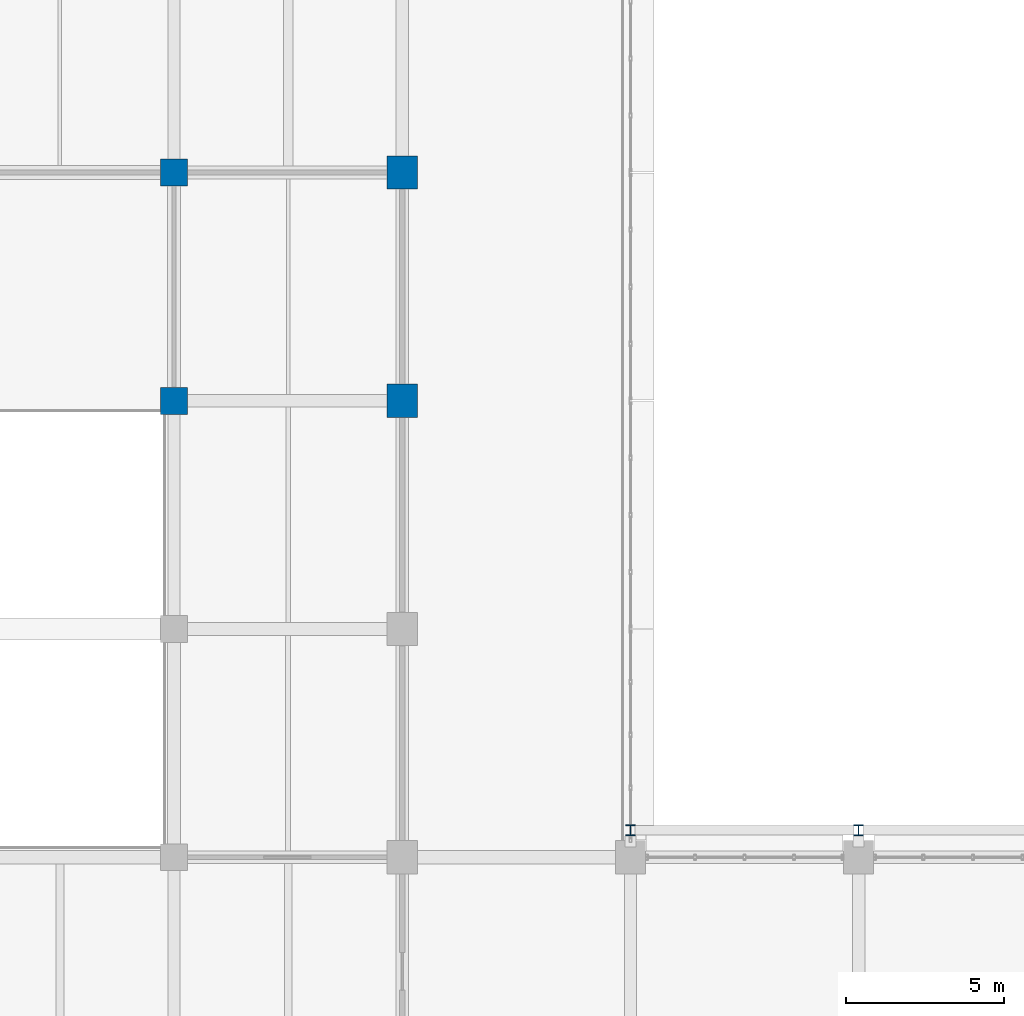
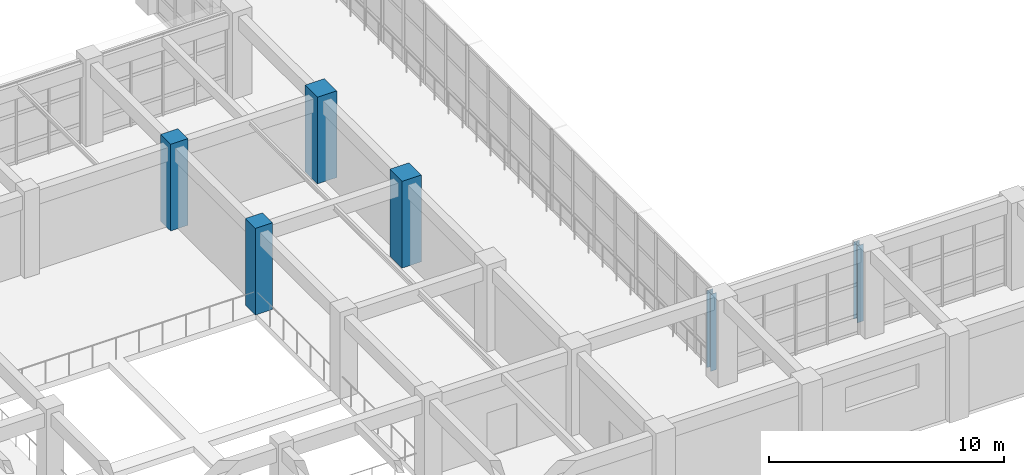
# One storey, part 2 of 171: 6 columns.
"""IFC4 building model written with IfcOpenShell, lengths in metres."""

from ifc_helpers import new_model, si_unit, direction, frame, origin, origin_2d, place, context, subcontext, project, spatial, rectangle, i_section, extrude, material, material_profile, profile_set, type_object, element, save


model = new_model("IFC4")

# Units and contexts
model_context = context("Model", 3, precision=1e-05, world=origin(), true_north=direction((0.0, 1.0)))
body_context = subcontext(model_context, "Body", "Model", "MODEL_VIEW")
ifc_project = project(units=[si_unit("LENGTHUNIT", "METRE"), si_unit("AREAUNIT", "SQUARE_METRE"), si_unit("VOLUMEUNIT", "CUBIC_METRE"), si_unit("PLANEANGLEUNIT", "RADIAN"), si_unit("MASSUNIT", "GRAM", prefix="KILO")], contexts=[model_context])

# Site, building, storey
site_placement = place(None, origin())
site = spatial("IfcSite", under=ifc_project, at=site_placement, CompositionType="ELEMENT")
building_placement = place(site_placement, origin())
building = spatial("IfcBuilding", under=site, at=building_placement, Name="Thalmaran Polytechnic", CompositionType="ELEMENT")
storey_placement = place(building_placement, frame((0.0, 0.0, 5.39990234375)))
storey = spatial("IfcBuildingStorey", under=building, at=storey_placement, Name="L01", CompositionType="ELEMENT", Elevation=5.39990234375)

# Columns
ifc_material_1 = material(Name="Concrete C50/60", Category="concrete")
ifc_material_profile_1 = material_profile(ifc_material_1, rectangle(XDim=0.85009765625, YDim=0.85009765625, at=origin_2d()), Name="RC 850x850")
ifc_profile_set_1 = profile_set([ifc_material_profile_1], Name="Concrete C50/60")
column_type_1 = type_object("IfcColumnType", Name="COL-C02", PredefinedType="COLUMN", material=ifc_profile_set_1)
for number, where, z_axis, x_axis, name in (
    (1, (100.800048828125, 21.60009765625, 0.0), (0.0, 0.0, 1.0), (1.0, 0.0, 0.0), "Column C02 L01 (14,3)"),
    (2, (100.800048828125, 28.800048828125, 0.0), (0.0, 0.0, 1.0), (1.0, 0.0, 0.0), "Column C02 L01 (14,4)"),
):
    element("IfcColumn", number, at=place(storey_placement, frame(where, z_axis=z_axis, x_axis=x_axis)), inside=storey, type_object=column_type_1, Name=name, PredefinedType="COLUMN", context=body_context, shape_type="SweptSolid", body=[
        extrude(rectangle(XDim=0.85009765625, YDim=0.85009765625, at=origin_2d()), origin(), (0.0, 0.0, 1.0), 4.5),
    ])
ifc_material_2 = material(Name="Steel S355", Category="steel")
ifc_material_profile_2 = material_profile(ifc_material_2, i_section(OverallWidth=0.300048828125, OverallDepth=0.340087890625, WebThickness=0.011962890625, FlangeThickness=0.021484375, at=origin_2d()), Name="HEB 340")
ifc_profile_set_2 = profile_set([ifc_material_profile_2], Name="Steel S355")
column_type_2 = type_object("IfcColumnType", Name="COL-SC1", PredefinedType="COLUMN", material=ifc_profile_set_2)
for number, where, z_axis, x_axis, name in (
    (3, (115.199951171875, 8.050048828125, 0.0), (0.0, 0.0, 1.0), (1.0, 0.0, 0.0), "Workshop Crane Runway Column L01 (16,1)"),
    (4, (122.39990234375, 8.050048828125, 0.0), (0.0, 0.0, 1.0), (1.0, 0.0, 0.0), "Workshop Crane Runway Column L01 (17,1)"),
):
    element("IfcColumn", number, at=place(storey_placement, frame(where, z_axis=z_axis, x_axis=x_axis)), inside=storey, type_object=column_type_2, Name=name, PredefinedType="COLUMN", context=body_context, shape_type="SweptSolid", body=[
        extrude(i_section(OverallWidth=0.300048828125, OverallDepth=0.340087890625, WebThickness=0.011962890625, FlangeThickness=0.021484375, at=origin_2d()), origin(), (0.0, 0.0, 1.0), 4.0),
    ])
ifc_material_profile_3 = material_profile(ifc_material_1, rectangle(XDim=0.949951171875, YDim=1.050048828125, at=origin_2d()), Name="RC 950x1050")
ifc_profile_set_3 = profile_set([ifc_material_profile_3], Name="Concrete C50/60")
column_type_3 = type_object("IfcColumnType", Name="COL-WP2", PredefinedType="COLUMN", material=ifc_profile_set_3)
for number, where, z_axis, x_axis, name in (
    (5, (108.0, 21.60009765625, 0.0), (0.0, 0.0, 1.0), (1.0, 0.0, 0.0), "Column WP2 L01 (15,3)"),
    (6, (108.0, 28.800048828125, 0.0), (0.0, 0.0, 1.0), (1.0, 0.0, 0.0), "Column WP2 L01 (15,4)"),
):
    element("IfcColumn", number, at=place(storey_placement, frame(where, z_axis=z_axis, x_axis=x_axis)), inside=storey, type_object=column_type_3, Name=name, PredefinedType="COLUMN", context=body_context, shape_type="SweptSolid", body=[
        extrude(rectangle(XDim=0.949951171875, YDim=1.050048828125, at=origin_2d()), origin(), (0.0, 0.0, 1.0), 4.5),
    ])

save(model, "model.ifc")
